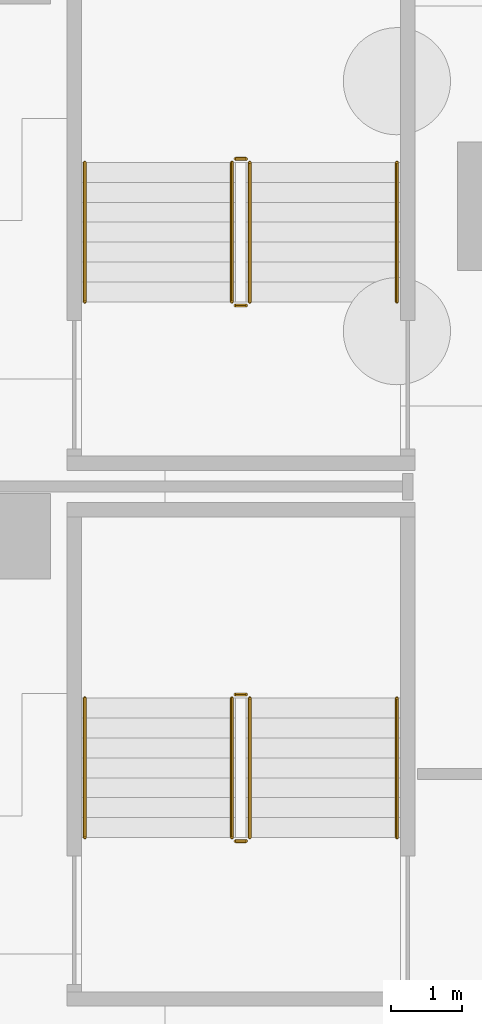
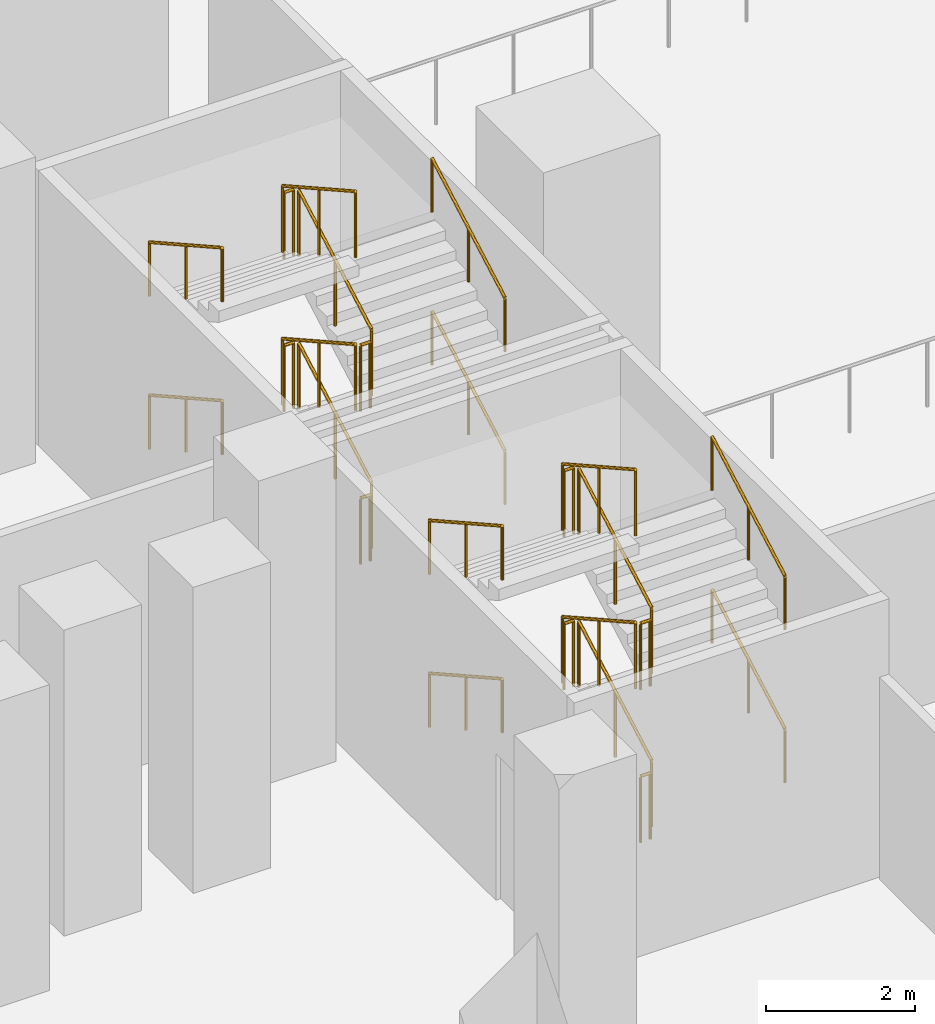
# One storey, part 18 of 27: 24 railings.
"""IFC4 building model written with IfcOpenShell, lengths in metres."""

from ifc_helpers import new_model, si_unit, direction, frame, origin, origin_2d, place, context, subcontext, project, spatial, circle, extrude, material, type_object, element, save


model = new_model("IFC4")

# Units and contexts
model_context = context("Model", 3, precision=1e-05, world=origin(), true_north=direction((0.0, 1.0)))
body_context = subcontext(model_context, "Body", "Model", "MODEL_VIEW")
ifc_project = project(units=[si_unit("LENGTHUNIT", "METRE"), si_unit("AREAUNIT", "SQUARE_METRE"), si_unit("VOLUMEUNIT", "CUBIC_METRE"), si_unit("PLANEANGLEUNIT", "RADIAN"), si_unit("MASSUNIT", "GRAM", prefix="KILO")], contexts=[model_context])

# Site, building, storey
site_placement = place(None, origin())
site = spatial("IfcSite", under=ifc_project, at=site_placement, CompositionType="ELEMENT")
building_placement = place(site_placement, origin())
building = spatial("IfcBuilding", under=site, at=building_placement, Name="Calabash Gate Tower", CompositionType="ELEMENT")
storey_placement = place(building_placement, frame((0.0, 0.0, -10.0)))
storey = spatial("IfcBuildingStorey", under=building, at=storey_placement, Name="B2", CompositionType="ELEMENT", Elevation=-10.0)

# Railings
ifc_material_1 = material(Name="Black powder-coated steel balusters", Category="steel")
railing_type_1 = type_object("IfcRailingType", Name="Stair guard RL1100", PredefinedType="GUARDRAIL", material=ifc_material_1)
railing_1_placement = place(storey_placement, frame((-35.81005859375, -32.840087890625, 0.15625)))
element("IfcRailing", 1, at=railing_1_placement, inside=storey, type_object=railing_type_1, Name="B2 PS1 stair guard 1", PredefinedType="GUARDRAIL", context=body_context, shape_type="SweptSolid", body=[
    extrude(circle(Radius=0.02392578125, at=origin_2d()), frame((0.0, 0.0, 1.076171875), z_axis=(0.0, 0.87250601595, 0.488603368932), x_axis=(-1.0, 0.0, 0.0)), (0.0, 0.0, 1.0), 2.238525390625),
    extrude(circle(Radius=0.02099609375, at=origin_2d()), origin(), (0.0, 0.0, 1.0), 1.052001953125),
    extrude(circle(Radius=0.02099609375, at=origin_2d()), frame((0.0, 0.9765625, 0.546875)), (0.0, 0.0, 1.0), 1.052001953125),
    extrude(circle(Radius=0.02099609375, at=origin_2d()), frame((0.0, 1.953125, 1.09375)), (0.0, 0.0, 1.0), 1.052001953125),
])
railing_2_placement = place(storey_placement, frame((-35.860107421875, -30.8369140625, 1.25)))
element("IfcRailing", 2, at=railing_2_placement, inside=storey, type_object=railing_type_1, Name="B2 PS1 stair guard 2", PredefinedType="GUARDRAIL", context=body_context, shape_type="SweptSolid", body=[
    extrude(circle(Radius=0.02392578125, at=origin_2d()), frame((0.0, 0.0, 1.076171875), z_axis=(-1.0, 0.0, 0.0), x_axis=(0.0, -1.0, 0.0)), (0.0, 0.0, 1.0), 0.14990234375),
    extrude(circle(Radius=0.02099609375, at=origin_2d()), origin(), (0.0, 0.0, 1.0), 1.052001953125),
    extrude(circle(Radius=0.02099609375, at=origin_2d()), frame((-0.14990234375, 0.0, 0.0)), (0.0, 0.0, 1.0), 1.052001953125),
])
railing_3_placement = place(storey_placement, frame((-36.06005859375, -30.886962890625, 1.40625)))
element("IfcRailing", 3, at=railing_3_placement, inside=storey, type_object=railing_type_1, Name="B2 PS1 stair guard 3", PredefinedType="GUARDRAIL", context=body_context, shape_type="SweptSolid", body=[
    extrude(circle(Radius=0.02392578125, at=origin_2d()), frame((0.0, 0.0, 1.076171875), z_axis=(0.0, -0.87250601595, 0.488603368932), x_axis=(1.0, 0.0, 0.0)), (0.0, 0.0, 1.0), 2.238525390625),
    extrude(circle(Radius=0.02099609375, at=origin_2d()), origin(), (0.0, 0.0, 1.0), 1.052001953125),
    extrude(circle(Radius=0.02099609375, at=origin_2d()), frame((0.0, -0.9765625, 0.546875)), (0.0, 0.0, 1.0), 1.052001953125),
    extrude(circle(Radius=0.02099609375, at=origin_2d()), frame((0.0, -1.953125, 1.09375)), (0.0, 0.0, 1.0), 1.052001953125),
])
railing_4_placement = place(storey_placement, frame((-35.860107421875, -32.889892578125, 2.5)))
element("IfcRailing", 4, at=railing_4_placement, inside=storey, type_object=railing_type_1, Name="B2 PS1 stair guard 4", PredefinedType="GUARDRAIL", context=body_context, shape_type="SweptSolid", body=[
    extrude(circle(Radius=0.02392578125, at=origin_2d()), frame((0.0, 0.0, 1.076171875), z_axis=(-1.0, 0.0, 0.0), x_axis=(0.0, -1.0, 0.0)), (0.0, 0.0, 1.0), 0.14990234375),
    extrude(circle(Radius=0.02099609375, at=origin_2d()), origin(), (0.0, 0.0, 1.0), 1.052001953125),
    extrude(circle(Radius=0.02099609375, at=origin_2d()), frame((-0.14990234375, 0.0, 0.0)), (0.0, 0.0, 1.0), 1.052001953125),
])
railing_5_placement = place(storey_placement, frame((-35.81005859375, -32.840087890625, 2.65625)))
element("IfcRailing", 5, at=railing_5_placement, inside=storey, type_object=railing_type_1, Name="B2 PS1 stair guard 5", PredefinedType="GUARDRAIL", context=body_context, shape_type="SweptSolid", body=[
    extrude(circle(Radius=0.02392578125, at=origin_2d()), frame((0.0, 0.0, 1.076171875), z_axis=(0.0, 0.87250601595, 0.488603368932), x_axis=(-1.0, 0.0, 0.0)), (0.0, 0.0, 1.0), 2.238525390625),
    extrude(circle(Radius=0.02099609375, at=origin_2d()), origin(), (0.0, 0.0, 1.0), 1.052001953125),
    extrude(circle(Radius=0.02099609375, at=origin_2d()), frame((0.0, 0.9765625, 0.546875)), (0.0, 0.0, 1.0), 1.052001953125),
    extrude(circle(Radius=0.02099609375, at=origin_2d()), frame((0.0, 1.953125, 1.09375)), (0.0, 0.0, 1.0), 1.052001953125),
])
railing_6_placement = place(storey_placement, frame((-35.860107421875, -30.8369140625, 3.75)))
element("IfcRailing", 6, at=railing_6_placement, inside=storey, type_object=railing_type_1, Name="B2 PS1 stair guard 6", PredefinedType="GUARDRAIL", context=body_context, shape_type="SweptSolid", body=[
    extrude(circle(Radius=0.02392578125, at=origin_2d()), frame((0.0, 0.0, 1.076171875), z_axis=(-1.0, 0.0, 0.0), x_axis=(0.0, -1.0, 0.0)), (0.0, 0.0, 1.0), 0.14990234375),
    extrude(circle(Radius=0.02099609375, at=origin_2d()), origin(), (0.0, 0.0, 1.0), 1.052001953125),
    extrude(circle(Radius=0.02099609375, at=origin_2d()), frame((-0.14990234375, 0.0, 0.0)), (0.0, 0.0, 1.0), 1.052001953125),
])
railing_7_placement = place(storey_placement, frame((-36.06005859375, -30.886962890625, 3.90625)))
element("IfcRailing", 7, at=railing_7_placement, inside=storey, type_object=railing_type_1, Name="B2 PS1 stair guard 7", PredefinedType="GUARDRAIL", context=body_context, shape_type="SweptSolid", body=[
    extrude(circle(Radius=0.02392578125, at=origin_2d()), frame((0.0, 0.0, 1.076171875), z_axis=(0.0, -0.87250601595, 0.488603368932), x_axis=(1.0, 0.0, 0.0)), (0.0, 0.0, 1.0), 2.238525390625),
    extrude(circle(Radius=0.02099609375, at=origin_2d()), origin(), (0.0, 0.0, 1.0), 1.052001953125),
    extrude(circle(Radius=0.02099609375, at=origin_2d()), frame((0.0, -0.9765625, 0.546875)), (0.0, 0.0, 1.0), 1.052001953125),
    extrude(circle(Radius=0.02099609375, at=origin_2d()), frame((0.0, -1.953125, 1.09375)), (0.0, 0.0, 1.0), 1.052001953125),
])
railing_8_placement = place(storey_placement, frame((-35.860107421875, -32.889892578125, 0.0)))
element("IfcRailing", 8, at=railing_8_placement, inside=storey, type_object=railing_type_1, Name="B2 PS1 stair guard 8", PredefinedType="GUARDRAIL", context=body_context, shape_type="SweptSolid", body=[
    extrude(circle(Radius=0.02392578125, at=origin_2d()), frame((0.0, 0.0, 1.076171875), z_axis=(-1.0, 0.0, 0.0), x_axis=(0.0, -1.0, 0.0)), (0.0, 0.0, 1.0), 0.14990234375),
    extrude(circle(Radius=0.02099609375, at=origin_2d()), origin(), (0.0, 0.0, 1.0), 1.052001953125),
    extrude(circle(Radius=0.02099609375, at=origin_2d()), frame((-0.14990234375, 0.0, 0.0)), (0.0, 0.0, 1.0), 1.052001953125),
])
railing_9_placement = place(storey_placement, frame((-35.81005859375, -25.340087890625, 0.15625)))
element("IfcRailing", 9, at=railing_9_placement, inside=storey, type_object=railing_type_1, Name="B2 PS2 stair guard 1", PredefinedType="GUARDRAIL", context=body_context, shape_type="SweptSolid", body=[
    extrude(circle(Radius=0.02392578125, at=origin_2d()), frame((0.0, 0.0, 1.076171875), z_axis=(0.0, 0.87250601595, 0.488603368932), x_axis=(-1.0, 0.0, 0.0)), (0.0, 0.0, 1.0), 2.238525390625),
    extrude(circle(Radius=0.02099609375, at=origin_2d()), origin(), (0.0, 0.0, 1.0), 1.052001953125),
    extrude(circle(Radius=0.02099609375, at=origin_2d()), frame((0.0, 0.9765625, 0.546875)), (0.0, 0.0, 1.0), 1.052001953125),
    extrude(circle(Radius=0.02099609375, at=origin_2d()), frame((0.0, 1.953125, 1.09375)), (0.0, 0.0, 1.0), 1.052001953125),
])
railing_10_placement = place(storey_placement, frame((-35.860107421875, -23.3369140625, 1.25)))
element("IfcRailing", 10, at=railing_10_placement, inside=storey, type_object=railing_type_1, Name="B2 PS2 stair guard 2", PredefinedType="GUARDRAIL", context=body_context, shape_type="SweptSolid", body=[
    extrude(circle(Radius=0.02392578125, at=origin_2d()), frame((0.0, 0.0, 1.076171875), z_axis=(-1.0, 0.0, 0.0), x_axis=(0.0, -1.0, 0.0)), (0.0, 0.0, 1.0), 0.14990234375),
    extrude(circle(Radius=0.02099609375, at=origin_2d()), origin(), (0.0, 0.0, 1.0), 1.052001953125),
    extrude(circle(Radius=0.02099609375, at=origin_2d()), frame((-0.14990234375, 0.0, 0.0)), (0.0, 0.0, 1.0), 1.052001953125),
])
railing_11_placement = place(storey_placement, frame((-36.06005859375, -23.386962890625, 1.40625)))
element("IfcRailing", 11, at=railing_11_placement, inside=storey, type_object=railing_type_1, Name="B2 PS2 stair guard 3", PredefinedType="GUARDRAIL", context=body_context, shape_type="SweptSolid", body=[
    extrude(circle(Radius=0.02392578125, at=origin_2d()), frame((0.0, 0.0, 1.076171875), z_axis=(0.0, -0.87250601595, 0.488603368932), x_axis=(1.0, 0.0, 0.0)), (0.0, 0.0, 1.0), 2.238525390625),
    extrude(circle(Radius=0.02099609375, at=origin_2d()), origin(), (0.0, 0.0, 1.0), 1.052001953125),
    extrude(circle(Radius=0.02099609375, at=origin_2d()), frame((0.0, -0.9765625, 0.546875)), (0.0, 0.0, 1.0), 1.052001953125),
    extrude(circle(Radius=0.02099609375, at=origin_2d()), frame((0.0, -1.953125, 1.09375)), (0.0, 0.0, 1.0), 1.052001953125),
])
railing_12_placement = place(storey_placement, frame((-35.860107421875, -25.389892578125, 2.5)))
element("IfcRailing", 12, at=railing_12_placement, inside=storey, type_object=railing_type_1, Name="B2 PS2 stair guard 4", PredefinedType="GUARDRAIL", context=body_context, shape_type="SweptSolid", body=[
    extrude(circle(Radius=0.02392578125, at=origin_2d()), frame((0.0, 0.0, 1.076171875), z_axis=(-1.0, 0.0, 0.0), x_axis=(0.0, -1.0, 0.0)), (0.0, 0.0, 1.0), 0.14990234375),
    extrude(circle(Radius=0.02099609375, at=origin_2d()), origin(), (0.0, 0.0, 1.0), 1.052001953125),
    extrude(circle(Radius=0.02099609375, at=origin_2d()), frame((-0.14990234375, 0.0, 0.0)), (0.0, 0.0, 1.0), 1.052001953125),
])
railing_13_placement = place(storey_placement, frame((-35.81005859375, -25.340087890625, 2.65625)))
element("IfcRailing", 13, at=railing_13_placement, inside=storey, type_object=railing_type_1, Name="B2 PS2 stair guard 5", PredefinedType="GUARDRAIL", context=body_context, shape_type="SweptSolid", body=[
    extrude(circle(Radius=0.02392578125, at=origin_2d()), frame((0.0, 0.0, 1.076171875), z_axis=(0.0, 0.87250601595, 0.488603368932), x_axis=(-1.0, 0.0, 0.0)), (0.0, 0.0, 1.0), 2.238525390625),
    extrude(circle(Radius=0.02099609375, at=origin_2d()), origin(), (0.0, 0.0, 1.0), 1.052001953125),
    extrude(circle(Radius=0.02099609375, at=origin_2d()), frame((0.0, 0.9765625, 0.546875)), (0.0, 0.0, 1.0), 1.052001953125),
    extrude(circle(Radius=0.02099609375, at=origin_2d()), frame((0.0, 1.953125, 1.09375)), (0.0, 0.0, 1.0), 1.052001953125),
])
railing_14_placement = place(storey_placement, frame((-35.860107421875, -23.3369140625, 3.75)))
element("IfcRailing", 14, at=railing_14_placement, inside=storey, type_object=railing_type_1, Name="B2 PS2 stair guard 6", PredefinedType="GUARDRAIL", context=body_context, shape_type="SweptSolid", body=[
    extrude(circle(Radius=0.02392578125, at=origin_2d()), frame((0.0, 0.0, 1.076171875), z_axis=(-1.0, 0.0, 0.0), x_axis=(0.0, -1.0, 0.0)), (0.0, 0.0, 1.0), 0.14990234375),
    extrude(circle(Radius=0.02099609375, at=origin_2d()), origin(), (0.0, 0.0, 1.0), 1.052001953125),
    extrude(circle(Radius=0.02099609375, at=origin_2d()), frame((-0.14990234375, 0.0, 0.0)), (0.0, 0.0, 1.0), 1.052001953125),
])
railing_15_placement = place(storey_placement, frame((-36.06005859375, -23.386962890625, 3.90625)))
element("IfcRailing", 15, at=railing_15_placement, inside=storey, type_object=railing_type_1, Name="B2 PS2 stair guard 7", PredefinedType="GUARDRAIL", context=body_context, shape_type="SweptSolid", body=[
    extrude(circle(Radius=0.02392578125, at=origin_2d()), frame((0.0, 0.0, 1.076171875), z_axis=(0.0, -0.87250601595, 0.488603368932), x_axis=(1.0, 0.0, 0.0)), (0.0, 0.0, 1.0), 2.238525390625),
    extrude(circle(Radius=0.02099609375, at=origin_2d()), origin(), (0.0, 0.0, 1.0), 1.052001953125),
    extrude(circle(Radius=0.02099609375, at=origin_2d()), frame((0.0, -0.9765625, 0.546875)), (0.0, 0.0, 1.0), 1.052001953125),
    extrude(circle(Radius=0.02099609375, at=origin_2d()), frame((0.0, -1.953125, 1.09375)), (0.0, 0.0, 1.0), 1.052001953125),
])
railing_16_placement = place(storey_placement, frame((-35.860107421875, -25.389892578125, 0.0)))
element("IfcRailing", 16, at=railing_16_placement, inside=storey, type_object=railing_type_1, Name="B2 PS2 stair guard 8", PredefinedType="GUARDRAIL", context=body_context, shape_type="SweptSolid", body=[
    extrude(circle(Radius=0.02392578125, at=origin_2d()), frame((0.0, 0.0, 1.076171875), z_axis=(-1.0, 0.0, 0.0), x_axis=(0.0, -1.0, 0.0)), (0.0, 0.0, 1.0), 0.14990234375),
    extrude(circle(Radius=0.02099609375, at=origin_2d()), origin(), (0.0, 0.0, 1.0), 1.052001953125),
    extrude(circle(Radius=0.02099609375, at=origin_2d()), frame((-0.14990234375, 0.0, 0.0)), (0.0, 0.0, 1.0), 1.052001953125),
])
ifc_material_2 = material(Name="Black powder-coated steel tube 48 mm", Category="steel")
railing_type_2 = type_object("IfcRailingType", Name="Stair handrail RL900", PredefinedType="HANDRAIL", material=ifc_material_2)
railing_17_placement = place(storey_placement, frame((-33.75, -32.840087890625, 0.15625)))
element("IfcRailing", 17, at=railing_17_placement, inside=storey, type_object=railing_type_2, Name="B2 PS1 stair handrail 1", PredefinedType="HANDRAIL", context=body_context, shape_type="SweptSolid", body=[
    extrude(circle(Radius=0.02392578125, at=origin_2d()), frame((0.0, 0.0, 0.8759765625), z_axis=(0.0, 0.87250601595, 0.488603368932), x_axis=(-1.0, 0.0, 0.0)), (0.0, 0.0, 1.0), 2.238525390625),
    extrude(circle(Radius=0.02099609375, at=origin_2d()), origin(), (0.0, 0.0, 1.0), 0.851806640625),
    extrude(circle(Radius=0.02099609375, at=origin_2d()), frame((0.0, 0.9765625, 0.546875)), (0.0, 0.0, 1.0), 0.851806640625),
    extrude(circle(Radius=0.02099609375, at=origin_2d()), frame((0.0, 1.953125, 1.09375)), (0.0, 0.0, 1.0), 0.851806640625),
])
railing_18_placement = place(storey_placement, frame((-38.1201171875, -30.886962890625, 1.40625)))
element("IfcRailing", 18, at=railing_18_placement, inside=storey, type_object=railing_type_2, Name="B2 PS1 stair handrail 2", PredefinedType="HANDRAIL", context=body_context, shape_type="SweptSolid", body=[
    extrude(circle(Radius=0.02392578125, at=origin_2d()), frame((0.0, 0.0, 0.8759765625), z_axis=(0.0, -0.87250601595, 0.488603368932), x_axis=(1.0, 0.0, 0.0)), (0.0, 0.0, 1.0), 2.238525390625),
    extrude(circle(Radius=0.02099609375, at=origin_2d()), origin(), (0.0, 0.0, 1.0), 0.851806640625),
    extrude(circle(Radius=0.02099609375, at=origin_2d()), frame((0.0, -0.9765625, 0.546875)), (0.0, 0.0, 1.0), 0.851806640625),
    extrude(circle(Radius=0.02099609375, at=origin_2d()), frame((0.0, -1.953125, 1.09375)), (0.0, 0.0, 1.0), 0.851806640625),
])
railing_19_placement = place(storey_placement, frame((-33.75, -32.840087890625, 2.65625)))
element("IfcRailing", 19, at=railing_19_placement, inside=storey, type_object=railing_type_2, Name="B2 PS1 stair handrail 3", PredefinedType="HANDRAIL", context=body_context, shape_type="SweptSolid", body=[
    extrude(circle(Radius=0.02392578125, at=origin_2d()), frame((0.0, 0.0, 0.8759765625), z_axis=(0.0, 0.87250601595, 0.488603368932), x_axis=(-1.0, 0.0, 0.0)), (0.0, 0.0, 1.0), 2.238525390625),
    extrude(circle(Radius=0.02099609375, at=origin_2d()), origin(), (0.0, 0.0, 1.0), 0.851806640625),
    extrude(circle(Radius=0.02099609375, at=origin_2d()), frame((0.0, 0.9765625, 0.546875)), (0.0, 0.0, 1.0), 0.851806640625),
    extrude(circle(Radius=0.02099609375, at=origin_2d()), frame((0.0, 1.953125, 1.09375)), (0.0, 0.0, 1.0), 0.851806640625),
])
railing_20_placement = place(storey_placement, frame((-38.1201171875, -30.886962890625, 3.90625)))
element("IfcRailing", 20, at=railing_20_placement, inside=storey, type_object=railing_type_2, Name="B2 PS1 stair handrail 4", PredefinedType="HANDRAIL", context=body_context, shape_type="SweptSolid", body=[
    extrude(circle(Radius=0.02392578125, at=origin_2d()), frame((0.0, 0.0, 0.8759765625), z_axis=(0.0, -0.87250601595, 0.488603368932), x_axis=(1.0, 0.0, 0.0)), (0.0, 0.0, 1.0), 2.238525390625),
    extrude(circle(Radius=0.02099609375, at=origin_2d()), origin(), (0.0, 0.0, 1.0), 0.851806640625),
    extrude(circle(Radius=0.02099609375, at=origin_2d()), frame((0.0, -0.9765625, 0.546875)), (0.0, 0.0, 1.0), 0.851806640625),
    extrude(circle(Radius=0.02099609375, at=origin_2d()), frame((0.0, -1.953125, 1.09375)), (0.0, 0.0, 1.0), 0.851806640625),
])
railing_21_placement = place(storey_placement, frame((-33.75, -25.340087890625, 0.15625)))
element("IfcRailing", 21, at=railing_21_placement, inside=storey, type_object=railing_type_2, Name="B2 PS2 stair handrail 1", PredefinedType="HANDRAIL", context=body_context, shape_type="SweptSolid", body=[
    extrude(circle(Radius=0.02392578125, at=origin_2d()), frame((0.0, 0.0, 0.8759765625), z_axis=(0.0, 0.87250601595, 0.488603368932), x_axis=(-1.0, 0.0, 0.0)), (0.0, 0.0, 1.0), 2.238525390625),
    extrude(circle(Radius=0.02099609375, at=origin_2d()), origin(), (0.0, 0.0, 1.0), 0.851806640625),
    extrude(circle(Radius=0.02099609375, at=origin_2d()), frame((0.0, 0.9765625, 0.546875)), (0.0, 0.0, 1.0), 0.851806640625),
    extrude(circle(Radius=0.02099609375, at=origin_2d()), frame((0.0, 1.953125, 1.09375)), (0.0, 0.0, 1.0), 0.851806640625),
])
railing_22_placement = place(storey_placement, frame((-38.1201171875, -23.386962890625, 1.40625)))
element("IfcRailing", 22, at=railing_22_placement, inside=storey, type_object=railing_type_2, Name="B2 PS2 stair handrail 2", PredefinedType="HANDRAIL", context=body_context, shape_type="SweptSolid", body=[
    extrude(circle(Radius=0.02392578125, at=origin_2d()), frame((0.0, 0.0, 0.8759765625), z_axis=(0.0, -0.87250601595, 0.488603368932), x_axis=(1.0, 0.0, 0.0)), (0.0, 0.0, 1.0), 2.238525390625),
    extrude(circle(Radius=0.02099609375, at=origin_2d()), origin(), (0.0, 0.0, 1.0), 0.851806640625),
    extrude(circle(Radius=0.02099609375, at=origin_2d()), frame((0.0, -0.9765625, 0.546875)), (0.0, 0.0, 1.0), 0.851806640625),
    extrude(circle(Radius=0.02099609375, at=origin_2d()), frame((0.0, -1.953125, 1.09375)), (0.0, 0.0, 1.0), 0.851806640625),
])
railing_23_placement = place(storey_placement, frame((-33.75, -25.340087890625, 2.65625)))
element("IfcRailing", 23, at=railing_23_placement, inside=storey, type_object=railing_type_2, Name="B2 PS2 stair handrail 3", PredefinedType="HANDRAIL", context=body_context, shape_type="SweptSolid", body=[
    extrude(circle(Radius=0.02392578125, at=origin_2d()), frame((0.0, 0.0, 0.8759765625), z_axis=(0.0, 0.87250601595, 0.488603368932), x_axis=(-1.0, 0.0, 0.0)), (0.0, 0.0, 1.0), 2.238525390625),
    extrude(circle(Radius=0.02099609375, at=origin_2d()), origin(), (0.0, 0.0, 1.0), 0.851806640625),
    extrude(circle(Radius=0.02099609375, at=origin_2d()), frame((0.0, 0.9765625, 0.546875)), (0.0, 0.0, 1.0), 0.851806640625),
    extrude(circle(Radius=0.02099609375, at=origin_2d()), frame((0.0, 1.953125, 1.09375)), (0.0, 0.0, 1.0), 0.851806640625),
])
railing_24_placement = place(storey_placement, frame((-38.1201171875, -23.386962890625, 3.90625)))
element("IfcRailing", 24, at=railing_24_placement, inside=storey, type_object=railing_type_2, Name="B2 PS2 stair handrail 4", PredefinedType="HANDRAIL", context=body_context, shape_type="SweptSolid", body=[
    extrude(circle(Radius=0.02392578125, at=origin_2d()), frame((0.0, 0.0, 0.8759765625), z_axis=(0.0, -0.87250601595, 0.488603368932), x_axis=(1.0, 0.0, 0.0)), (0.0, 0.0, 1.0), 2.238525390625),
    extrude(circle(Radius=0.02099609375, at=origin_2d()), origin(), (0.0, 0.0, 1.0), 0.851806640625),
    extrude(circle(Radius=0.02099609375, at=origin_2d()), frame((0.0, -0.9765625, 0.546875)), (0.0, 0.0, 1.0), 0.851806640625),
    extrude(circle(Radius=0.02099609375, at=origin_2d()), frame((0.0, -1.953125, 1.09375)), (0.0, 0.0, 1.0), 0.851806640625),
])

save(model, "model.ifc")
